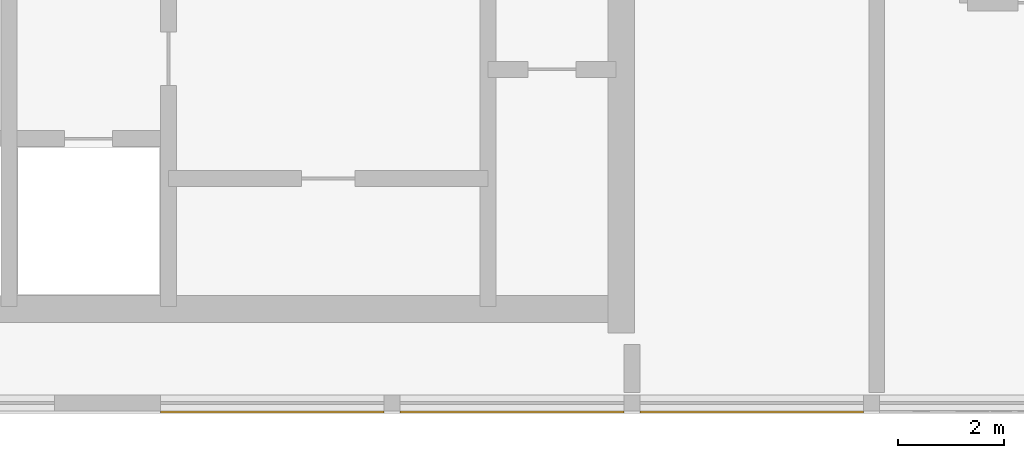
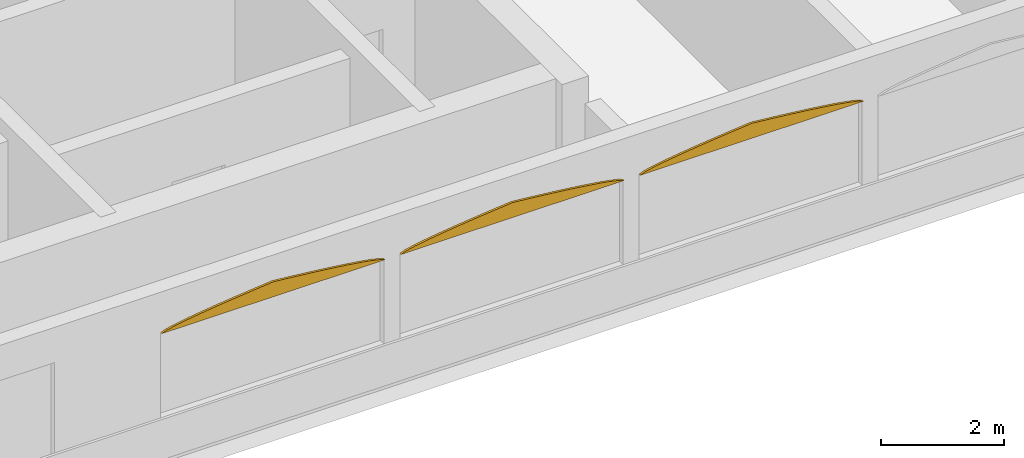
# One storey, part 16 of 19: 3 coverings.
"""IFC4 building model written with IfcOpenShell, lengths in metres."""

import ifcopenshell
import ifcopenshell.guid

model = None  # the IFC model being written
_history = None  # IfcOwnerHistory: only IFC2X3 demands one
_inside = {}  # id of a spatial element -> (the spatial element, [elements in it])
_under = {}  # id of a project, library or spatial element -> (it, [spatial elements below it])
_declared = {}  # id of a project -> (the project, [libraries it declares])
_typed = {}  # id of a type object -> (the type object, [elements of that type])
_made_of = {}  # id of a material, layer set ... -> (it, [elements and type objects made of it])


def new_model(schema):
    """Start an empty IFC model of exactly this schema.

    Asked for "IFC4X3", IfcOpenShell would pick the latest addendum, in which some entities
    have other attributes; the version numbers below select the first issue.
    IFC2X3 requires an IfcOwnerHistory on every rooted entity: one is made here for all.
    """
    global model, _history
    if schema == "IFC4X3":
        model = ifcopenshell.file(schema_version=(4, 3, 0, 0))
    else:
        model = ifcopenshell.file(schema=schema)
    _inside.clear()
    _under.clear()
    _declared.clear()
    _typed.clear()
    _made_of.clear()
    _history = None
    if model.schema == "IFC2X3":
        org = make("IfcOrganization", Name="unknown")
        user = make(
            "IfcPersonAndOrganization",
            ThePerson=make("IfcPerson", FamilyName="unknown"),
            TheOrganization=org,
        )
        app = make(
            "IfcApplication",
            ApplicationDeveloper=org,
            Version="unknown",
            ApplicationFullName="unknown",
            ApplicationIdentifier="unknown",
        )
        _history = make(
            "IfcOwnerHistory",
            OwningUser=user,
            OwningApplication=app,
            ChangeAction="ADDED",
            CreationDate=0,
        )
    return model


def make(cls, **values):
    """One entity of the class cls with the attributes given. An attribute that is None is left unset."""
    return model.create_entity(
        cls, **{name: value for name, value in values.items() if value is not None}
    )


def rooted(cls, **values):
    """An entity with a GlobalId (a new one), such as an element, a storey or a relation."""
    return make(cls, GlobalId=ifcopenshell.guid.new(), OwnerHistory=_history, **values)


def si_unit(unit_type, name, prefix=None):
    """IfcSIUnit, for example si_unit("LENGTHUNIT", "METRE", prefix="MILLI")."""
    return make("IfcSIUnit", UnitType=unit_type, Prefix=prefix, Name=name)


def assignment(units):
    """IfcUnitAssignment: the units of a project."""
    return None if units is None else make("IfcUnitAssignment", Units=units)


def point(xyz):
    """IfcCartesianPoint."""
    return None if xyz is None else make("IfcCartesianPoint", Coordinates=xyz)


def direction(xyz):
    """IfcDirection."""
    return None if xyz is None else make("IfcDirection", DirectionRatios=xyz)


def frame(location, z_axis=None, x_axis=None):
    """IfcAxis2Placement3D, a coordinate frame: its origin and axes. An axis left out is left unset."""
    return make(
        "IfcAxis2Placement3D",
        Location=point(location),
        Axis=direction(z_axis),
        RefDirection=direction(x_axis),
    )


def origin():
    """The frame at (0, 0, 0) with its axes left unset."""
    return frame((0.0, 0.0, 0.0))


def place(relative_to, where):
    """IfcLocalPlacement: puts the frame where relative to a parent placement (None: the world)."""
    return make(
        "IfcLocalPlacement", PlacementRelTo=relative_to, RelativePlacement=where
    )


def context(
    kind, dimensions, precision=None, world=None, true_north=None, identifier=None
):
    """IfcGeometricRepresentationContext, for example the 3D "Model" context."""
    return make(
        "IfcGeometricRepresentationContext",
        ContextIdentifier=identifier,
        ContextType=kind,
        CoordinateSpaceDimension=dimensions,
        Precision=precision,
        WorldCoordinateSystem=world,
        TrueNorth=true_north,
    )


def subcontext(parent, identifier, kind, view, scale=None):
    """IfcGeometricRepresentationSubContext, for example "Body" below "Model"."""
    return make(
        "IfcGeometricRepresentationSubContext",
        ContextIdentifier=identifier,
        ContextType=kind,
        ParentContext=parent,
        TargetScale=scale,
        TargetView=view,
    )


def project(units=None, contexts=None):
    """IfcProject with its units and contexts."""
    return rooted(
        "IfcProject",
        Name="project",
        RepresentationContexts=contexts,
        UnitsInContext=assignment(units),
    )


def spatial(cls, under=None, at=None, **own):
    """A site, building, storey or space (cls), placed at a placement, below another one or the project."""
    s = rooted(cls, ObjectPlacement=at, **own)
    if under is not None:
        _under.setdefault(under.id(), (under, []))[1].append(s)
    return s


def polyline(points):
    """IfcPolyline through the points."""
    return make("IfcPolyline", Points=[point(p) for p in points])


def outline(outer, holes=None, kind="AREA"):
    """IfcArbitraryClosedProfileDef: a profile drawn as a closed curve; with holes, ...WithVoids."""
    if holes is None:
        return make("IfcArbitraryClosedProfileDef", ProfileType=kind, OuterCurve=outer)
    return make(
        "IfcArbitraryProfileDefWithVoids",
        ProfileType=kind,
        OuterCurve=outer,
        InnerCurves=holes,
    )


def extrude(swept, where, along, depth):
    """IfcExtrudedAreaSolid: the profile swept, set in the frame where, extruded along a direction by depth."""
    return make(
        "IfcExtrudedAreaSolid",
        SweptArea=swept,
        Position=where,
        ExtrudedDirection=direction(along),
        Depth=depth,
    )


def shape(context_of_items, identifier, shape_type, items):
    """IfcShapeRepresentation: the items that make up one representation, for example the "Body"."""
    return make(
        "IfcShapeRepresentation",
        ContextOfItems=context_of_items,
        RepresentationIdentifier=identifier,
        RepresentationType=shape_type,
        Items=items,
    )


def material(Name=None, Category=None):
    """IfcMaterial."""
    return make("IfcMaterial", Name=Name, Category=Category)


def layer(
    of_material, thickness, ventilated=None, Name=None, Category=None, Priority=None
):
    """IfcMaterialLayer: one layer of a wall or slab, of a material (None: an air gap)."""
    return make(
        "IfcMaterialLayer",
        Material=of_material,
        LayerThickness=thickness,
        IsVentilated=ventilated,
        Name=Name,
        Category=Category,
        Priority=Priority,
    )


def layer_set(layers, Name=None):
    """IfcMaterialLayerSet."""
    return make("IfcMaterialLayerSet", MaterialLayers=layers, LayerSetName=Name)


def made_of(thing, what):
    """Note that an element or type object is made of a material, layer set ...; save() writes the relation."""
    if what is not None:
        _made_of.setdefault(what.id(), (what, []))[1].append(thing)
    return thing


def type_object(cls, material=None, **own):
    """A type object (cls), such as IfcWallType, which elements share."""
    return made_of(rooted(cls, **own), material)


def element(
    cls,
    number,
    at=None,
    inside=None,
    cuts=None,
    type_object=None,
    material=None,
    context=None,
    identifier="Body",
    shape_type=None,
    held_by="IfcProductDefinitionShape",
    body=None,
    shapes=None,
    **own,
):
    """One element of the class cls, such as IfcWall. Its Tag is "e" and its number.

    at: its placement. inside: the storey or other place that contains it. cuts: it is an
    opening in that element (IfcRelVoidsElement). A single representation is given by context,
    identifier, shape_type and body (its items); several are given by shapes. held_by: the class
    of the entity that holds the representations. save() writes the other relations.
    """
    e = rooted(cls, Tag="e%d" % number, ObjectPlacement=at, **own)
    if body is not None:
        shapes = [shape(context, identifier, shape_type, body)]
    if shapes is not None:
        e.Representation = make(held_by, Representations=shapes)
    if inside is not None:
        _inside.setdefault(inside.id(), (inside, []))[1].append(e)
    if cuts is not None:
        rooted(
            "IfcRelVoidsElement", RelatingBuildingElement=cuts, RelatedOpeningElement=e
        )
    if type_object is not None:
        _typed.setdefault(type_object.id(), (type_object, []))[1].append(e)
    return made_of(e, material)


def aggregate(whole, parts):
    """IfcRelAggregates: a whole, such as a stair, and the parts it consists of."""
    return rooted("IfcRelAggregates", RelatingObject=whole, RelatedObjects=parts)


def save(model, path):
    """Write the relations noted so far, then the file.

    IfcRelAggregates (storeys below a building ...), IfcRelContainedInSpatialStructure (elements
    in a storey), IfcRelDefinesByType, IfcRelAssociatesMaterial and IfcRelDeclares: one each for
    every whole, place, type object, material and project.
    """
    for whole, parts in _under.values():
        aggregate(whole, parts)
    for where, things in _inside.values():
        rooted(
            "IfcRelContainedInSpatialStructure",
            RelatedElements=things,
            RelatingStructure=where,
        )
    for kind, things in _typed.values():
        rooted("IfcRelDefinesByType", RelatedObjects=things, RelatingType=kind)
    for what, things in _made_of.values():
        rooted("IfcRelAssociatesMaterial", RelatedObjects=things, RelatingMaterial=what)
    for by, libraries in _declared.values():
        rooted("IfcRelDeclares", RelatingContext=by, RelatedDefinitions=libraries)
    model.write(path)


model = new_model("IFC4")

# Units and contexts
model_context = context("Model", 3, precision=1e-05, world=origin(), true_north=direction((0.0, 1.0)))
body_context = subcontext(model_context, "Body", "Model", "MODEL_VIEW")
ifc_project = project(units=[si_unit("LENGTHUNIT", "METRE"), si_unit("AREAUNIT", "SQUARE_METRE"), si_unit("VOLUMEUNIT", "CUBIC_METRE"), si_unit("PLANEANGLEUNIT", "RADIAN"), si_unit("MASSUNIT", "GRAM", prefix="KILO")], contexts=[model_context])

# Site, building, storey
site_placement = place(None, origin())
site = spatial("IfcSite", under=ifc_project, at=site_placement, CompositionType="ELEMENT")
building_placement = place(site_placement, origin())
building = spatial("IfcBuilding", under=site, at=building_placement, Name="Ogive Portal Towers", CompositionType="ELEMENT")
storey_placement = place(building_placement, frame((0.0, 0.0, 203.199951171875)))
storey = spatial("IfcBuildingStorey", under=building, at=storey_placement, Name="L50", CompositionType="ELEMENT", Elevation=203.199951171875)

# Coverings
ifc_material = material(Name="Limestone cladding on lightweight block wall", Category="masonry")
ifc_layer = layer(ifc_material, 0.0400390625)
ifc_layer_set = layer_set([ifc_layer], Name="LANCET HEAD STONE")
covering_type = type_object("IfcCoveringType", Name="LANCET HEAD STONE", PredefinedType="CLADDING", material=ifc_layer_set)
for number, where, z_axis, x_axis, name in (
    (1, (49.64990234375, 19.784912109375, 2.60009765625), (0.0, 0.999955558891, 0.009427631938), (1.0, 0.0, 0.0), "Lancet head"),
    (2, (54.14990234375, 19.784912109375, 2.60009765625), (0.0, 0.999955558891, 0.009427631938), (1.0, 0.0, 0.0), "Lancet head"),
    (3, (58.64990234375, 19.784912109375, 2.60009765625), (0.0, 0.999955558891, 0.009427631938), (1.0, 0.0, 0.0), "Lancet head"),
):
    element("IfcCovering", number, at=place(storey_placement, frame(where, z_axis=z_axis, x_axis=x_axis)), inside=storey, type_object=covering_type, Name=name, PredefinedType="CLADDING", context=body_context, shape_type="SweptSolid", body=[
        extrude(outline(polyline([(0.0, 0.0), (4.2001953125, 0.0), (4.107177734375, -0.03735415726127601), (3.9375, -0.0749547459656255), (3.7177734375, -0.11255303300202127), (3.45751953125, -0.149909491931251), (3.162353515625, -0.18750777896764678), (2.836181640625, -0.2248642378968765), (2.481201171875, -0.26246252493327227), (2.10009765625, -0.3000631136376218), (1.718994140625, -0.26246252493327227), (1.364013671875, -0.2248642378968765), (1.037841796875, -0.18750777896764678), (0.74267578125, -0.149909491931251), (0.482421875, -0.11255303300202127), (0.2626953125, -0.0749547459656255), (0.093017578125, -0.03735415726127601), (0.0, 0.0)])), origin(), (0.0, 0.0, -1.0), 0.0400390625),
    ])

save(model, "model.ifc")
